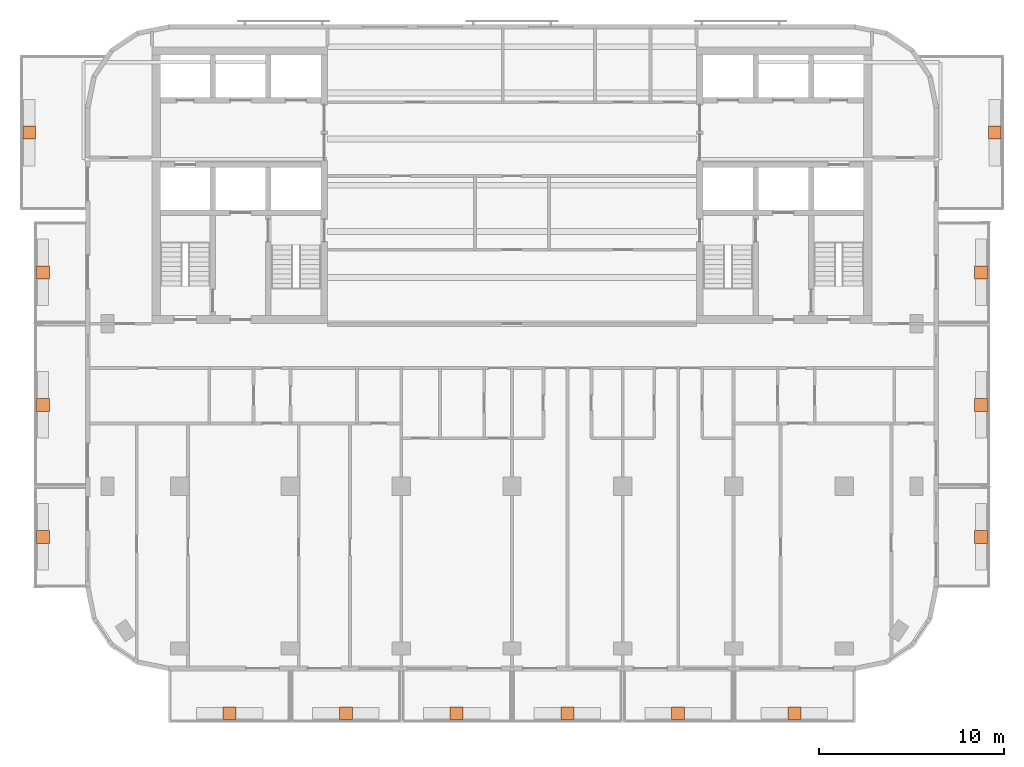
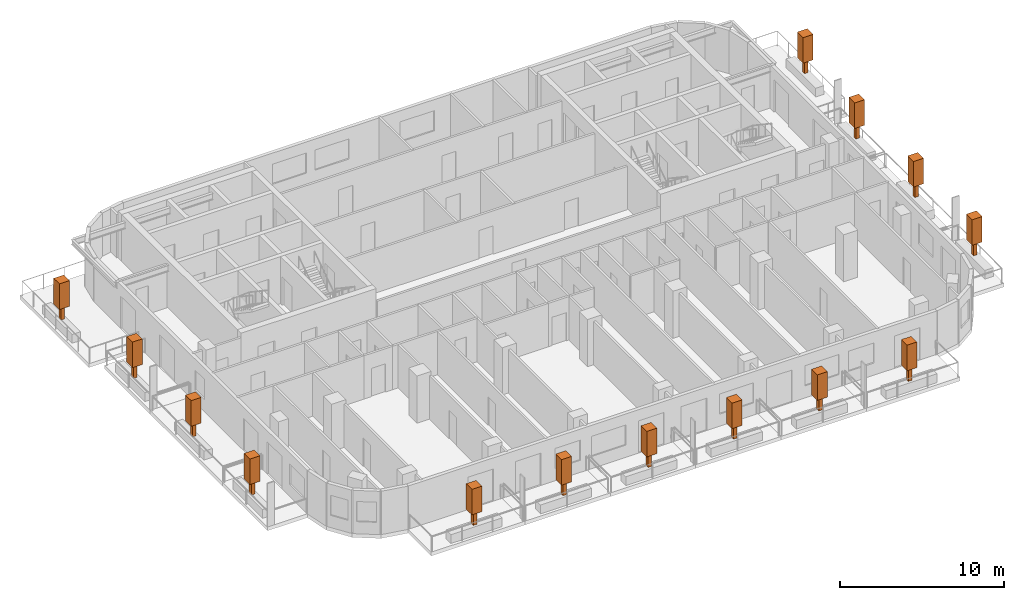
# One storey, part 11 of 11: 14 geographic elements.
"""IFC4 building model written with IfcOpenShell, lengths in metres."""

from ifc_helpers import new_model, si_unit, direction, frame, origin, origin_2d, place, context, subcontext, project, spatial, rectangle, extrude, material, element, save


model = new_model("IFC4")

# Units and contexts
model_context = context("Model", 3, precision=1e-05, world=origin(), true_north=direction((0.0, 1.0)))
body_context = subcontext(model_context, "Body", "Model", "MODEL_VIEW")
ifc_project = project(units=[si_unit("LENGTHUNIT", "METRE"), si_unit("AREAUNIT", "SQUARE_METRE"), si_unit("VOLUMEUNIT", "CUBIC_METRE"), si_unit("PLANEANGLEUNIT", "RADIAN"), si_unit("MASSUNIT", "GRAM", prefix="KILO")], contexts=[model_context])

# Site, building, storey
site_placement = place(None, origin())
site = spatial("IfcSite", under=ifc_project, at=site_placement, CompositionType="ELEMENT")
building_placement = place(site_placement, origin())
building = spatial("IfcBuilding", under=site, at=building_placement, Name="Torana Hotel and Residences", CompositionType="ELEMENT")
storey_placement = place(building_placement, frame((0.0, 0.0, 280.60009765625)))
storey = spatial("IfcBuildingStorey", under=building, at=storey_placement, Name="L74", CompositionType="ELEMENT", Elevation=280.60009765625)

# Geographic elements
ifc_material = material(Name="Foliage", Category="planting")
for number, where, z_axis, x_axis, name in (
    (1, (-15.300048828125, -36.10009765625, 0.64990234375), (0.0, 0.0, 1.0), (1.0, 0.0, 0.0), "Tree 01"),
    (2, (-9.0, -36.10009765625, 0.64990234375), (0.0, 0.0, 1.0), (1.0, 0.0, 0.0), "Tree 02"),
    (3, (-3.0, -36.10009765625, 0.64990234375), (0.0, 0.0, 1.0), (1.0, 0.0, 0.0), "Tree 03"),
    (4, (3.0, -36.10009765625, 0.64990234375), (0.0, 0.0, 1.0), (1.0, 0.0, 0.0), "Tree 04"),
    (5, (9.0, -36.10009765625, 0.64990234375), (0.0, 0.0, 1.0), (1.0, 0.0, 0.0), "Tree 05"),
    (6, (15.300048828125, -36.10009765625, 0.64990234375), (0.0, 0.0, 1.0), (1.0, 0.0, 0.0), "Tree 06"),
    (7, (-25.39990234375, -26.550048828125, 0.64990234375), (0.0, 0.0, 1.0), (1.0, 0.0, 0.0), "Tree 07"),
    (8, (-25.39990234375, -19.39990234375, 0.64990234375), (0.0, 0.0, 1.0), (1.0, 0.0, 0.0), "Tree 08"),
    (9, (-25.39990234375, -12.22509765625, 0.64990234375), (0.0, 0.0, 1.0), (1.0, 0.0, 0.0), "Tree 09"),
    (10, (-26.14990234375, -4.64990234375, 0.64990234375), (0.0, 0.0, 1.0), (1.0, 0.0, 0.0), "Tree 10"),
    (11, (25.39990234375, -26.550048828125, 0.64990234375), (0.0, 0.0, 1.0), (1.0, 0.0, 0.0), "Tree 11"),
    (12, (25.39990234375, -19.39990234375, 0.64990234375), (0.0, 0.0, 1.0), (1.0, 0.0, 0.0), "Tree 12"),
    (13, (25.39990234375, -12.22509765625, 0.64990234375), (0.0, 0.0, 1.0), (1.0, 0.0, 0.0), "Tree 13"),
    (14, (26.14990234375, -4.64990234375, 0.64990234375), (0.0, 0.0, 1.0), (1.0, 0.0, 0.0), "Tree 14"),
):
    element("IfcGeographicElement", number, at=place(storey_placement, frame(where, z_axis=z_axis, x_axis=x_axis)), inside=storey, material=ifc_material, Name=name, ObjectType="TREE", PredefinedType="USERDEFINED", context=body_context, shape_type="SweptSolid", body=[
        extrude(rectangle(XDim=0.25, YDim=0.25, at=origin_2d()), origin(), (0.0, 0.0, 1.0), 1.0),
        extrude(rectangle(XDim=0.699951171875, YDim=0.699951171875, at=origin_2d()), frame((0.0, 0.0, 1.0)), (0.0, 0.0, 1.0), 1.89990234375),
    ])

save(model, "model.ifc")
